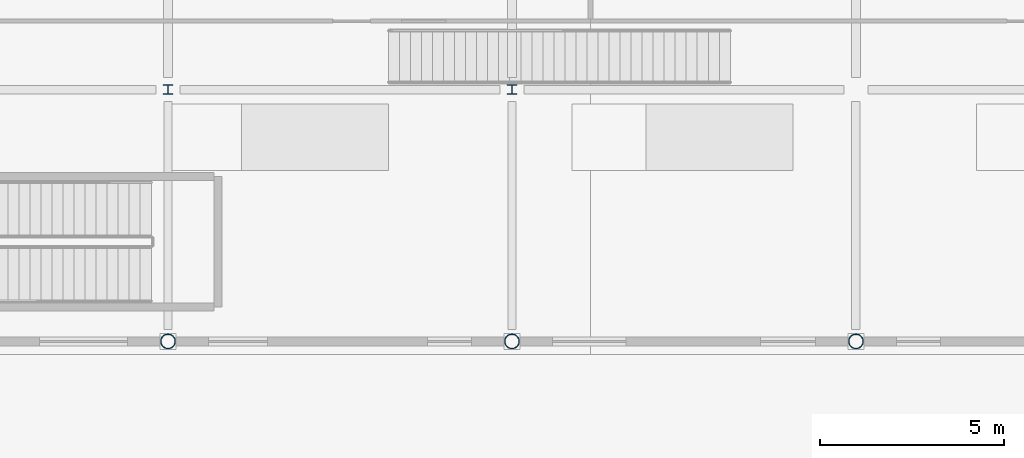
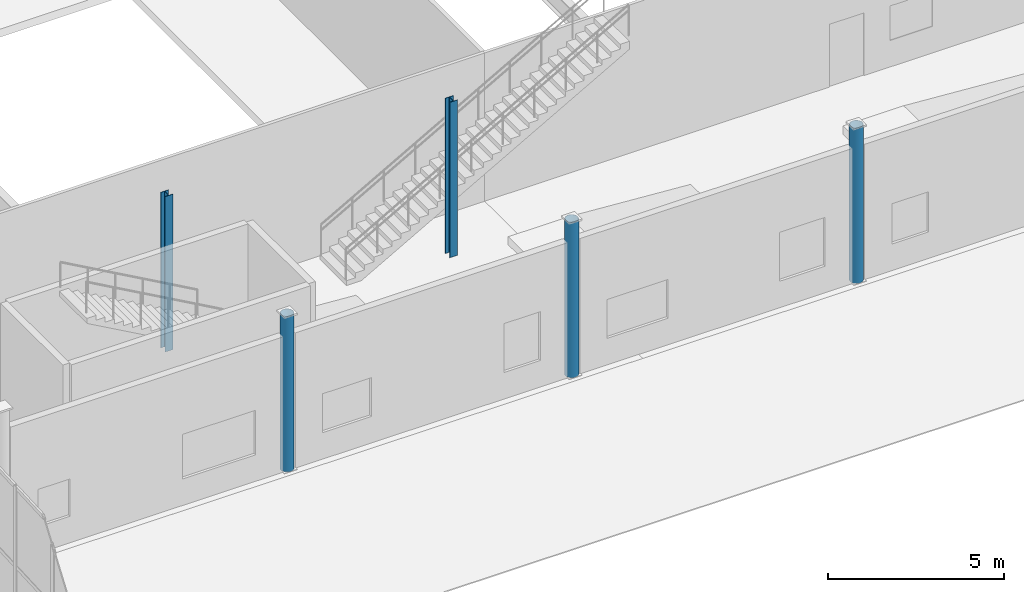
# One storey, part 4 of 83: 5 columns.
"""IFC4 building model written with IfcOpenShell, lengths in metres."""

from ifc_helpers import new_model, si_unit, direction, frame, origin, origin_2d, place, context, subcontext, project, spatial, hollow_circle, i_section, extrude, material, material_profile, profile_set, type_object, element, save


model = new_model("IFC4")

# Units and contexts
model_context = context("Model", 3, precision=1e-05, world=origin(), true_north=direction((0.0, 1.0)))
body_context = subcontext(model_context, "Body", "Model", "MODEL_VIEW")
ifc_project = project(units=[si_unit("LENGTHUNIT", "METRE"), si_unit("AREAUNIT", "SQUARE_METRE"), si_unit("VOLUMEUNIT", "CUBIC_METRE"), si_unit("PLANEANGLEUNIT", "RADIAN"), si_unit("MASSUNIT", "GRAM", prefix="KILO")], contexts=[model_context])

# Site, building, storey
site_placement = place(None, origin())
site = spatial("IfcSite", under=ifc_project, at=site_placement, CompositionType="ELEMENT")
building_placement = place(site_placement, origin())
building = spatial("IfcBuilding", under=site, at=building_placement, Name="Quillay Park Conservatory", CompositionType="ELEMENT")
storey_placement = place(building_placement, origin())
storey = spatial("IfcBuildingStorey", under=building, at=storey_placement, Name="L00", CompositionType="ELEMENT", Elevation=0.0)

# Columns
ifc_material_1 = material(Name="Steel S355J2H", Category="steel")
ifc_material_profile_1 = material_profile(ifc_material_1, hollow_circle(Radius=0.203125, WallThickness=0.01611328125, at=origin_2d()), Name="CHS406.4x16")
ifc_profile_set_1 = profile_set([ifc_material_profile_1], Name="Steel S355J2H")
column_type_1 = type_object("IfcColumnType", Name="COMPOSITE STEEL COLUMN CHS406", PredefinedType="COLUMN", material=ifc_profile_set_1)
for number, where, z_axis, x_axis, name in (
    (1, (40.005615234375, 85.550048828125, 0.0), (0.0, 0.0, 1.0), (1.0, 0.0, 0.0), "L00 column COL-V1-L00-1-0"),
    (2, (49.361083984375, 85.550048828125, 0.0), (0.0, 0.0, 1.0), (1.0, 0.0, 0.0), "L00 column COL-V1-L00-2-0"),
    (3, (58.716796875, 85.550048828125, 0.0), (0.0, 0.0, 1.0), (1.0, 0.0, 0.0), "L00 column COL-V1-L00-3-0"),
):
    element("IfcColumn", number, at=place(storey_placement, frame(where, z_axis=z_axis, x_axis=x_axis)), inside=storey, type_object=column_type_1, Name=name, PredefinedType="COLUMN", context=body_context, shape_type="SweptSolid", body=[
        extrude(hollow_circle(Radius=0.203125, WallThickness=0.01611328125, at=origin_2d()), origin(), (0.0, 0.0, 1.0), 5.39990234375),
    ])
ifc_material_2 = material(Name="Steel ASTM A992 Grade 50", Category="steel")
ifc_material_profile_2 = material_profile(ifc_material_2, i_section(OverallWidth=0.256103515625, OverallDepth=0.260009765625, WebThickness=0.0107421875, FlangeThickness=0.017333984375, FilletRadius=0.012939453125, at=origin_2d()), Name="W250x89")
ifc_profile_set_2 = profile_set([ifc_material_profile_2], Name="Steel ASTM A992 Grade 50")
column_type_2 = type_object("IfcColumnType", Name="COMPOSITE STEEL COLUMN W250 X89", PredefinedType="COLUMN", material=ifc_profile_set_2)
for number, where, z_axis, x_axis, name in (
    (4, (40.005615234375, 92.39990234375, 0.0), (0.0, 0.0, 1.0), (1.0, 0.0, 0.0), "L00 column COL-V1-WK-1"),
    (5, (49.361083984375, 92.39990234375, 0.0), (0.0, 0.0, 1.0), (1.0, 0.0, 0.0), "L00 column COL-V1-WK-2"),
):
    element("IfcColumn", number, at=place(storey_placement, frame(where, z_axis=z_axis, x_axis=x_axis)), inside=storey, type_object=column_type_2, Name=name, PredefinedType="COLUMN", context=body_context, shape_type="SweptSolid", body=[
        extrude(i_section(OverallWidth=0.256103515625, OverallDepth=0.260009765625, WebThickness=0.0107421875, FlangeThickness=0.017333984375, FilletRadius=0.012939453125, at=origin_2d()), origin(), (0.0, 0.0, 1.0), 5.39990234375),
    ])

save(model, "model.ifc")
